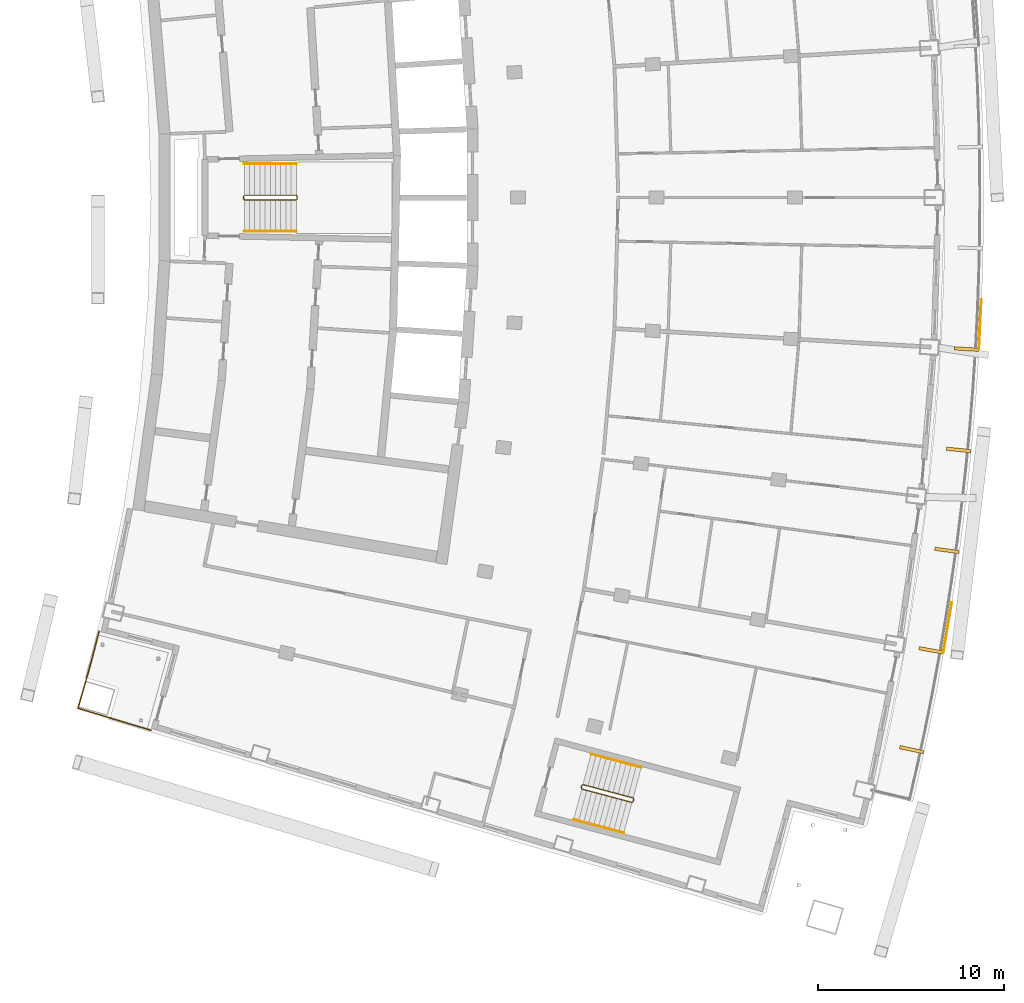
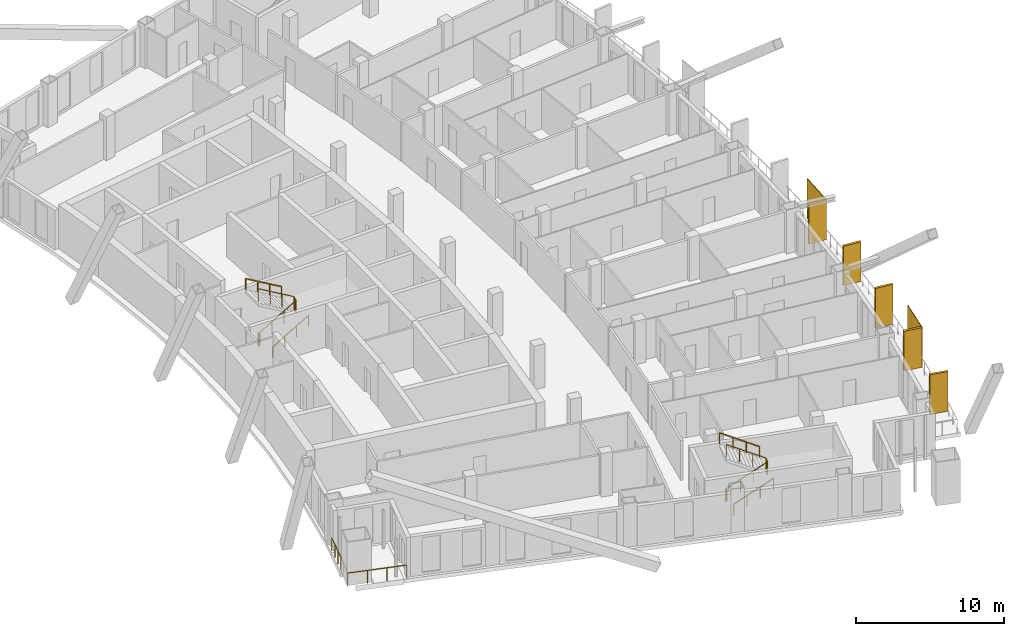
# One storey, part 17 of 19: 7 railings, 7 shading devices.
"""IFC4 building model written with IfcOpenShell, lengths in metres."""

import ifcopenshell
import ifcopenshell.guid

model = None  # the IFC model being written
_history = None  # IfcOwnerHistory: only IFC2X3 demands one
_inside = {}  # id of a spatial element -> (the spatial element, [elements in it])
_under = {}  # id of a project, library or spatial element -> (it, [spatial elements below it])
_declared = {}  # id of a project -> (the project, [libraries it declares])
_typed = {}  # id of a type object -> (the type object, [elements of that type])
_made_of = {}  # id of a material, layer set ... -> (it, [elements and type objects made of it])


def new_model(schema):
    """Start an empty IFC model of exactly this schema.

    Asked for "IFC4X3", IfcOpenShell would pick the latest addendum, in which some entities
    have other attributes; the version numbers below select the first issue.
    IFC2X3 requires an IfcOwnerHistory on every rooted entity: one is made here for all.
    """
    global model, _history
    if schema == "IFC4X3":
        model = ifcopenshell.file(schema_version=(4, 3, 0, 0))
    else:
        model = ifcopenshell.file(schema=schema)
    _inside.clear()
    _under.clear()
    _declared.clear()
    _typed.clear()
    _made_of.clear()
    _history = None
    if model.schema == "IFC2X3":
        org = make("IfcOrganization", Name="unknown")
        user = make(
            "IfcPersonAndOrganization",
            ThePerson=make("IfcPerson", FamilyName="unknown"),
            TheOrganization=org,
        )
        app = make(
            "IfcApplication",
            ApplicationDeveloper=org,
            Version="unknown",
            ApplicationFullName="unknown",
            ApplicationIdentifier="unknown",
        )
        _history = make(
            "IfcOwnerHistory",
            OwningUser=user,
            OwningApplication=app,
            ChangeAction="ADDED",
            CreationDate=0,
        )
    return model


def make(cls, **values):
    """One entity of the class cls with the attributes given. An attribute that is None is left unset."""
    return model.create_entity(
        cls, **{name: value for name, value in values.items() if value is not None}
    )


def rooted(cls, **values):
    """An entity with a GlobalId (a new one), such as an element, a storey or a relation."""
    return make(cls, GlobalId=ifcopenshell.guid.new(), OwnerHistory=_history, **values)


def si_unit(unit_type, name, prefix=None):
    """IfcSIUnit, for example si_unit("LENGTHUNIT", "METRE", prefix="MILLI")."""
    return make("IfcSIUnit", UnitType=unit_type, Prefix=prefix, Name=name)


def assignment(units):
    """IfcUnitAssignment: the units of a project."""
    return None if units is None else make("IfcUnitAssignment", Units=units)


def point(xyz):
    """IfcCartesianPoint."""
    return None if xyz is None else make("IfcCartesianPoint", Coordinates=xyz)


def direction(xyz):
    """IfcDirection."""
    return None if xyz is None else make("IfcDirection", DirectionRatios=xyz)


def frame(location, z_axis=None, x_axis=None):
    """IfcAxis2Placement3D, a coordinate frame: its origin and axes. An axis left out is left unset."""
    return make(
        "IfcAxis2Placement3D",
        Location=point(location),
        Axis=direction(z_axis),
        RefDirection=direction(x_axis),
    )


def frame_2d(location, x_axis=None):
    """IfcAxis2Placement2D, a coordinate frame in the plane: its origin and x axis."""
    return make(
        "IfcAxis2Placement2D", Location=point(location), RefDirection=direction(x_axis)
    )


def origin():
    """The frame at (0, 0, 0) with its axes left unset."""
    return frame((0.0, 0.0, 0.0))


def origin_with_axes():
    """The frame at (0, 0, 0) with the z axis (0, 0, 1) and the x axis (1, 0, 0) written out."""
    return frame((0.0, 0.0, 0.0), z_axis=(0.0, 0.0, 1.0), x_axis=(1.0, 0.0, 0.0))


def origin_2d():
    """The frame at (0, 0) in the plane with its x axis left unset."""
    return frame_2d((0.0, 0.0))


def place(relative_to, where):
    """IfcLocalPlacement: puts the frame where relative to a parent placement (None: the world)."""
    return make(
        "IfcLocalPlacement", PlacementRelTo=relative_to, RelativePlacement=where
    )


def context(
    kind, dimensions, precision=None, world=None, true_north=None, identifier=None
):
    """IfcGeometricRepresentationContext, for example the 3D "Model" context."""
    return make(
        "IfcGeometricRepresentationContext",
        ContextIdentifier=identifier,
        ContextType=kind,
        CoordinateSpaceDimension=dimensions,
        Precision=precision,
        WorldCoordinateSystem=world,
        TrueNorth=true_north,
    )


def subcontext(parent, identifier, kind, view, scale=None):
    """IfcGeometricRepresentationSubContext, for example "Body" below "Model"."""
    return make(
        "IfcGeometricRepresentationSubContext",
        ContextIdentifier=identifier,
        ContextType=kind,
        ParentContext=parent,
        TargetScale=scale,
        TargetView=view,
    )


def project(units=None, contexts=None):
    """IfcProject with its units and contexts."""
    return rooted(
        "IfcProject",
        Name="project",
        RepresentationContexts=contexts,
        UnitsInContext=assignment(units),
    )


def spatial(cls, under=None, at=None, **own):
    """A site, building, storey or space (cls), placed at a placement, below another one or the project."""
    s = rooted(cls, ObjectPlacement=at, **own)
    if under is not None:
        _under.setdefault(under.id(), (under, []))[1].append(s)
    return s


def profile(cls, at=None, kind="AREA", **sizes):
    """A parametric profile (cls). Its sizes go by their IFC names, for example OverallWidth=200.0."""
    return make(cls, ProfileType=kind, Position=at, **sizes)


def rectangle(**sizes):
    """IfcRectangleProfileDef."""
    return profile("IfcRectangleProfileDef", **sizes)


def extrude(swept, where, along, depth):
    """IfcExtrudedAreaSolid: the profile swept, set in the frame where, extruded along a direction by depth."""
    return make(
        "IfcExtrudedAreaSolid",
        SweptArea=swept,
        Position=where,
        ExtrudedDirection=direction(along),
        Depth=depth,
    )


def shape(context_of_items, identifier, shape_type, items):
    """IfcShapeRepresentation: the items that make up one representation, for example the "Body"."""
    return make(
        "IfcShapeRepresentation",
        ContextOfItems=context_of_items,
        RepresentationIdentifier=identifier,
        RepresentationType=shape_type,
        Items=items,
    )


def material(Name=None, Category=None):
    """IfcMaterial."""
    return make("IfcMaterial", Name=Name, Category=Category)


def layer(
    of_material, thickness, ventilated=None, Name=None, Category=None, Priority=None
):
    """IfcMaterialLayer: one layer of a wall or slab, of a material (None: an air gap)."""
    return make(
        "IfcMaterialLayer",
        Material=of_material,
        LayerThickness=thickness,
        IsVentilated=ventilated,
        Name=Name,
        Category=Category,
        Priority=Priority,
    )


def layer_set(layers, Name=None):
    """IfcMaterialLayerSet."""
    return make("IfcMaterialLayerSet", MaterialLayers=layers, LayerSetName=Name)


def made_of(thing, what):
    """Note that an element or type object is made of a material, layer set ...; save() writes the relation."""
    if what is not None:
        _made_of.setdefault(what.id(), (what, []))[1].append(thing)
    return thing


def type_object(cls, material=None, **own):
    """A type object (cls), such as IfcWallType, which elements share."""
    return made_of(rooted(cls, **own), material)


def element(
    cls,
    number,
    at=None,
    inside=None,
    cuts=None,
    type_object=None,
    material=None,
    context=None,
    identifier="Body",
    shape_type=None,
    held_by="IfcProductDefinitionShape",
    body=None,
    shapes=None,
    **own,
):
    """One element of the class cls, such as IfcWall. Its Tag is "e" and its number.

    at: its placement. inside: the storey or other place that contains it. cuts: it is an
    opening in that element (IfcRelVoidsElement). A single representation is given by context,
    identifier, shape_type and body (its items); several are given by shapes. held_by: the class
    of the entity that holds the representations. save() writes the other relations.
    """
    e = rooted(cls, Tag="e%d" % number, ObjectPlacement=at, **own)
    if body is not None:
        shapes = [shape(context, identifier, shape_type, body)]
    if shapes is not None:
        e.Representation = make(held_by, Representations=shapes)
    if inside is not None:
        _inside.setdefault(inside.id(), (inside, []))[1].append(e)
    if cuts is not None:
        rooted(
            "IfcRelVoidsElement", RelatingBuildingElement=cuts, RelatedOpeningElement=e
        )
    if type_object is not None:
        _typed.setdefault(type_object.id(), (type_object, []))[1].append(e)
    return made_of(e, material)


def aggregate(whole, parts):
    """IfcRelAggregates: a whole, such as a stair, and the parts it consists of."""
    return rooted("IfcRelAggregates", RelatingObject=whole, RelatedObjects=parts)


def save(model, path):
    """Write the relations noted so far, then the file.

    IfcRelAggregates (storeys below a building ...), IfcRelContainedInSpatialStructure (elements
    in a storey), IfcRelDefinesByType, IfcRelAssociatesMaterial and IfcRelDeclares: one each for
    every whole, place, type object, material and project.
    """
    for whole, parts in _under.values():
        aggregate(whole, parts)
    for where, things in _inside.values():
        rooted(
            "IfcRelContainedInSpatialStructure",
            RelatedElements=things,
            RelatingStructure=where,
        )
    for kind, things in _typed.values():
        rooted("IfcRelDefinesByType", RelatedObjects=things, RelatingType=kind)
    for what, things in _made_of.values():
        rooted("IfcRelAssociatesMaterial", RelatedObjects=things, RelatingMaterial=what)
    for by, libraries in _declared.values():
        rooted("IfcRelDeclares", RelatingContext=by, RelatedDefinitions=libraries)
    model.write(path)


model = new_model("IFC4")

# Units and contexts
model_context = context("Model", 3, precision=1e-05, world=origin(), true_north=direction((0.0, 1.0)))
body_context = subcontext(model_context, "Body", "Model", "MODEL_VIEW")
ifc_project = project(units=[si_unit("LENGTHUNIT", "METRE"), si_unit("AREAUNIT", "SQUARE_METRE"), si_unit("VOLUMEUNIT", "CUBIC_METRE"), si_unit("PLANEANGLEUNIT", "RADIAN"), si_unit("MASSUNIT", "GRAM", prefix="KILO")], contexts=[model_context])

# Site, building, storey
site_placement = place(None, origin())
site = spatial("IfcSite", under=ifc_project, at=site_placement, CompositionType="ELEMENT")
building_placement = place(site_placement, origin())
building = spatial("IfcBuilding", under=site, at=building_placement, Name="Alderwake Tower", CompositionType="ELEMENT")
storey_placement = place(building_placement, frame((0.0, 0.0, 200.0)))
storey = spatial("IfcBuildingStorey", under=building, at=storey_placement, Name="L49", CompositionType="ELEMENT", Elevation=200.0)

# Railing
ifc_material_1 = material(Name="Stainless steel 316 rail and posts", Category="steel")
railing_type_1 = type_object("IfcRailingType", Name="Balcony guard 1100", PredefinedType="GUARDRAIL", material=ifc_material_1)
railing_1_placement = place(storey_placement, frame((13.210693359375, 37.612548828125, 0.0)))
element("IfcRailing", 1, at=railing_1_placement, inside=storey, type_object=railing_type_1, Name="Guard terrace RS", PredefinedType="GUARDRAIL", context=body_context, shape_type="SweptSolid", body=[
    extrude(rectangle(XDim=0.048095703125, YDim=0.048095703125, at=origin_2d()), frame((0.0, 0.0, 1.076171875), z_axis=(-0.251385381433, -0.967887075026, 0.0), x_axis=(0.967887075026, -0.251385381433, 0.0)), (0.0, 0.0, 1.0), 1.6015625),
    extrude(rectangle(XDim=0.048095703125, YDim=0.048095703125, at=origin_2d()), frame((-0.402587890625, -1.550048828125, 1.076171875), z_axis=(-0.266520638672, -0.963829211615, 0.0), x_axis=(0.963829211615, -0.266520638672, 0.0)), (0.0, 0.0, 1.0), 1.401611328125),
    extrude(rectangle(XDim=0.048095703125, YDim=0.048095703125, at=origin_2d()), frame((-0.776123046875, -2.90087890625, 1.076171875), z_axis=(-0.280093650878, -0.959972680204, 0.0), x_axis=(0.959972680204, -0.280093650878, 0.0)), (0.0, 0.0, 1.0), 1.30126953125),
    extrude(rectangle(XDim=0.048095703125, YDim=0.048095703125, at=origin_2d()), frame((-1.140625, -4.150146484375, 1.076171875), z_axis=(0.958066871889, -0.286544706789, 0.0), x_axis=(0.286544706789, 0.958066871889, 0.0)), (0.0, 0.0, 1.0), 4.099853515625),
    extrude(rectangle(XDim=0.0419921875, YDim=0.0419921875, at=origin_2d()), frame((0.0, 0.0, 0.0), z_axis=(0.0, 0.0, 1.0), x_axis=(-0.251385381433, -0.967887075026, 0.0)), (0.0, 0.0, 1.0), 1.052001953125),
    extrude(rectangle(XDim=0.0419921875, YDim=0.0419921875, at=origin_2d()), frame((-0.201171875, -0.77490234375, 0.0), z_axis=(0.0, 0.0, 1.0), x_axis=(-0.251385381433, -0.967887075026, 0.0)), (0.0, 0.0, 1.0), 1.052001953125),
    extrude(rectangle(XDim=0.0419921875, YDim=0.0419921875, at=origin_2d()), frame((-0.402587890625, -1.550048828125, 0.0), z_axis=(0.0, 0.0, 1.0), x_axis=(-0.266520638672, -0.963829211615, 0.0)), (0.0, 0.0, 1.0), 1.052001953125),
    extrude(rectangle(XDim=0.0419921875, YDim=0.0419921875, at=origin_2d()), frame((-0.58935546875, -2.2255859375, 0.0), z_axis=(0.0, 0.0, 1.0), x_axis=(-0.266520638672, -0.963829211615, 0.0)), (0.0, 0.0, 1.0), 1.052001953125),
    extrude(rectangle(XDim=0.0419921875, YDim=0.0419921875, at=origin_2d()), frame((-0.776123046875, -2.90087890625, 0.0), z_axis=(0.0, 0.0, 1.0), x_axis=(-0.280093650878, -0.959972680204, 0.0)), (0.0, 0.0, 1.0), 1.052001953125),
    extrude(rectangle(XDim=0.0419921875, YDim=0.0419921875, at=origin_2d()), frame((-1.140625, -4.150146484375, 0.0), z_axis=(0.0, 0.0, 1.0), x_axis=(0.958066871889, -0.286544706789, 0.0)), (0.0, 0.0, 1.0), 1.052001953125),
    extrude(rectangle(XDim=0.0419921875, YDim=0.0419921875, at=origin_2d()), frame((0.168701171875, -4.541748046875, 0.0), z_axis=(0.0, 0.0, 1.0), x_axis=(0.958066871889, -0.286544706789, 0.0)), (0.0, 0.0, 1.0), 1.052001953125),
    extrude(rectangle(XDim=0.0419921875, YDim=0.0419921875, at=origin_2d()), frame((1.47802734375, -4.933349609375, 0.0), z_axis=(0.0, 0.0, 1.0), x_axis=(0.958066871889, -0.286544706789, 0.0)), (0.0, 0.0, 1.0), 1.052001953125),
    extrude(rectangle(XDim=0.0419921875, YDim=0.0419921875, at=origin_2d()), frame((2.787353515625, -5.324951171875, 0.0), z_axis=(0.0, 0.0, 1.0), x_axis=(0.958066871889, -0.286544706789, 0.0)), (0.0, 0.0, 1.0), 1.052001953125),
])

# Shading devices
ifc_material_2 = material(Name="Bronze anodised aluminium", Category="aluminium")
ifc_layer_1 = layer(ifc_material_2, 0.179931640625)
ifc_layer_set_1 = layer_set([ifc_layer_1], Name="Facade fin 1300")
shading_device_type_1 = type_object("IfcShadingDeviceType", Name="Facade fin 1300", PredefinedType="USERDEFINED", material=ifc_layer_set_1)
for number, where, z_axis, x_axis, name in (
    (2, (57.0048828125, 31.239501953125, 0.0), (0.0, 0.0, 1.0), (0.977210363881, -0.212273184185, 0.0), "Fin"),
    (3, (58.05859375, 36.590087890625, 0.0), (0.0, 0.0, 1.0), (0.984726421654, -0.174108800747, 0.0), "Fin"),
    (4, (58.903564453125, 41.9775390625, 0.0), (0.0, 0.0, 1.0), (0.990752577235, -0.135680988728, 0.0), "Fin"),
    (5, (59.5380859375, 47.39404296875, 0.0), (0.0, 0.0, 1.0), (0.995279882363, -0.097046152751, 0.0), "Fin"),
    (6, (59.9619140625, 52.8310546875, 0.0), (0.0, 0.0, 1.0), (0.998301080988, -0.058266214038, 0.0), "Fin"),
):
    element("IfcShadingDevice", number, at=place(storey_placement, frame(where, z_axis=z_axis, x_axis=x_axis)), inside=storey, type_object=shading_device_type_1, Name=name, ObjectType="FIN", PredefinedType="USERDEFINED", context=body_context, shape_type="SweptSolid", body=[
        extrude(rectangle(XDim=1.300048828125, YDim=0.179931640625, at=origin_2d()), origin(), (0.0, 0.0, 1.0), 3.280029296875),
    ])
ifc_material_3 = material(Name="Perforated bronze anodised aluminium", Category="aluminium")
ifc_layer_2 = layer(ifc_material_3, 0.050048828125)
ifc_layer_set_2 = layer_set([ifc_layer_2], Name="Perforated screen panel")
shading_device_type_2 = type_object("IfcShadingDeviceType", Name="Perforated screen panel", PredefinedType="USERDEFINED", material=ifc_layer_set_2)
for number, where, z_axis, x_axis, name in (
    (7, (58.9482421875, 37.8203125, 0.0), (0.0, 0.0, 1.0), (0.986369013299, -0.164548380739, 0.0), "Screen panel"),
    (8, (60.701904296875, 54.156494140625, 0.0), (0.0, 0.0, 1.0), (0.998819231138, -0.048581308217, 0.0), "Screen panel"),
):
    element("IfcShadingDevice", number, at=place(storey_placement, frame(where, z_axis=z_axis, x_axis=x_axis)), inside=storey, type_object=shading_device_type_2, Name=name, ObjectType="SCREEN", PredefinedType="USERDEFINED", context=body_context, shape_type="SweptSolid", body=[
        extrude(rectangle(XDim=0.050048828125, YDim=2.73291015625, at=origin_2d()), origin(), (0.0, 0.0, 1.0), 3.280029296875),
    ])

# Railings
ifc_material_4 = material(Name="Stainless steel guard", Category="steel")
railing_type_2 = type_object("IfcRailingType", Name="Stair guard 1100", PredefinedType="GUARDRAIL", material=ifc_material_4)
railing_2_placement = place(storey_placement, frame((20.989990234375, 60.925048828125, 0.0)))
element("IfcRailing", 9, at=railing_2_placement, inside=storey, type_object=railing_type_2, Name="L49 ST-B stair guard 1", PredefinedType="GUARDRAIL", context=body_context, shape_type="SweptSolid", body=[
    extrude(rectangle(XDim=0.048095703125, YDim=0.048095703125, at=origin_2d()), frame((0.0, 0.0, 1.076171875), z_axis=(0.0, 1.0, 0.0), x_axis=(-1.0, 0.0, 0.0)), (0.0, 0.0, 1.0), 0.14990234375),
    extrude(rectangle(XDim=0.048095703125, YDim=0.048095703125, at=origin_2d()), frame((0.0, 0.14990234375, 1.076171875), z_axis=(0.190199549216, -0.759870394187, 0.621627795), x_axis=(0.970072785993, 0.242814311512, 0.0)), (0.0, 0.0, 1.0), 0.26318359375),
    extrude(rectangle(XDim=0.048095703125, YDim=0.048095703125, at=origin_2d()), frame((0.050048828125, -0.050048828125, 1.23974609375), z_axis=(0.863360870873, 0.0, 0.504586966384), x_axis=(0.0, 1.0, 0.0)), (0.0, 0.0, 1.0), 3.2431640625),
    extrude(rectangle(XDim=0.048095703125, YDim=0.048095703125, at=origin_2d()), frame((2.85009765625, -0.050048828125, 2.8759765625), z_axis=(0.705375805398, 0.708833529934, 0.0), x_axis=(-0.708833529934, 0.705375805398, 0.0)), (0.0, 0.0, 1.0), 0.070556640625),
    extrude(rectangle(XDim=0.048095703125, YDim=0.048095703125, at=origin_2d()), frame((2.89990234375, 0.0, 2.8759765625), z_axis=(0.0, 1.0, 0.0), x_axis=(-1.0, 0.0, 0.0)), (0.0, 0.0, 1.0), 0.14990234375),
    extrude(rectangle(XDim=0.048095703125, YDim=0.048095703125, at=origin_2d()), frame((2.89990234375, 0.14990234375, 2.8759765625), z_axis=(-0.279546231943, 0.280916556609, 0.91811752648), x_axis=(-0.708833529934, -0.705375805398, 0.0)), (0.0, 0.0, 1.0), 0.17822265625),
    extrude(rectangle(XDim=0.048095703125, YDim=0.048095703125, at=origin_2d()), frame((2.85009765625, 0.199951171875, 3.03955078125), z_axis=(-0.863360870873, 0.0, 0.504586966384), x_axis=(0.0, -1.0, 0.0)), (0.0, 0.0, 1.0), 3.2431640625),
    extrude(rectangle(XDim=0.0419921875, YDim=0.0419921875, at=origin_2d()), frame((0.0, 0.0, 0.0), z_axis=(0.0, 0.0, 1.0), x_axis=(0.0, 1.0, 0.0)), (0.0, 0.0, 1.0), 1.052001953125),
    extrude(rectangle(XDim=0.0419921875, YDim=0.0419921875, at=origin_2d()), frame((0.0, 0.14990234375, 0.0), z_axis=(0.0, 0.0, 1.0), x_axis=(0.242814311512, -0.970072785993, 0.0)), (0.0, 0.0, 1.0), 1.052001953125),
    extrude(rectangle(XDim=0.0419921875, YDim=0.0419921875, at=origin_2d()), frame((0.050048828125, -0.050048828125, 0.16357421875), z_axis=(0.0, 0.0, 1.0), x_axis=(1.0, 0.0, 0.0)), (0.0, 0.0, 1.0), 1.052001953125),
    extrude(rectangle(XDim=0.0419921875, YDim=0.0419921875, at=origin_2d()), frame((0.9833984375, -0.050048828125, 0.708984375), z_axis=(0.0, 0.0, 1.0), x_axis=(1.0, 0.0, 0.0)), (0.0, 0.0, 1.0), 1.052001953125),
    extrude(rectangle(XDim=0.0419921875, YDim=0.0419921875, at=origin_2d()), frame((1.916748046875, -0.050048828125, 1.254638671875), z_axis=(0.0, 0.0, 1.0), x_axis=(1.0, 0.0, 0.0)), (0.0, 0.0, 1.0), 1.052001953125),
    extrude(rectangle(XDim=0.0419921875, YDim=0.0419921875, at=origin_2d()), frame((2.85009765625, -0.050048828125, 1.800048828125), z_axis=(0.0, 0.0, 1.0), x_axis=(0.705375805398, 0.708833529934, 0.0)), (0.0, 0.0, 1.0), 1.052001953125),
    extrude(rectangle(XDim=0.0419921875, YDim=0.0419921875, at=origin_2d()), frame((2.89990234375, 0.0, 1.800048828125), z_axis=(0.0, 0.0, 1.0), x_axis=(0.0, 1.0, 0.0)), (0.0, 0.0, 1.0), 1.052001953125),
    extrude(rectangle(XDim=0.0419921875, YDim=0.0419921875, at=origin_2d()), frame((2.89990234375, 0.14990234375, 1.800048828125), z_axis=(0.0, 0.0, 1.0), x_axis=(-0.705375805398, 0.708833529934, 0.0)), (0.0, 0.0, 1.0), 1.052001953125),
    extrude(rectangle(XDim=0.0419921875, YDim=0.0419921875, at=origin_2d()), frame((2.85009765625, 0.199951171875, 1.963623046875), z_axis=(0.0, 0.0, 1.0), x_axis=(-1.0, 0.0, 0.0)), (0.0, 0.0, 1.0), 1.052001953125),
    extrude(rectangle(XDim=0.0419921875, YDim=0.0419921875, at=origin_2d()), frame((1.916748046875, 0.199951171875, 2.509033203125), z_axis=(0.0, 0.0, 1.0), x_axis=(-1.0, 0.0, 0.0)), (0.0, 0.0, 1.0), 1.052001953125),
    extrude(rectangle(XDim=0.0419921875, YDim=0.0419921875, at=origin_2d()), frame((0.9833984375, 0.199951171875, 3.0546875), z_axis=(0.0, 0.0, 1.0), x_axis=(-1.0, 0.0, 0.0)), (0.0, 0.0, 1.0), 1.052001953125),
    extrude(rectangle(XDim=0.0419921875, YDim=0.0419921875, at=origin_2d()), frame((0.050048828125, 0.199951171875, 3.60009765625), z_axis=(0.0, 0.0, 1.0), x_axis=(-1.0, 0.0, 0.0)), (0.0, 0.0, 1.0), 1.052001953125),
])
railing_3_placement = place(storey_placement, frame((39.1943359375, 29.17431640625, 0.0)))
element("IfcRailing", 10, at=railing_3_placement, inside=storey, type_object=railing_type_2, Name="L49 ST-C stair guard 1", PredefinedType="GUARDRAIL", context=body_context, shape_type="SweptSolid", body=[
    extrude(rectangle(XDim=0.048095703125, YDim=0.048095703125, at=origin_2d()), frame((0.0, 0.0, 1.076171875), z_axis=(0.257459803502, 0.966289009345, 0.0), x_axis=(-0.966289009345, 0.257459803502, 0.0)), (0.0, 0.0, 1.0), 0.14990234375),
    extrude(rectangle(XDim=0.048095703125, YDim=0.048095703125, at=origin_2d()), frame((0.03857421875, 0.144775390625, 1.076171875), z_axis=(-0.012062893862, -0.783160186125, 0.621702991355), x_axis=(0.999881397308, -0.015401016783, 0.0)), (0.0, 0.0, 1.0), 0.26318359375),
    extrude(rectangle(XDim=0.048095703125, YDim=0.048095703125, at=origin_2d()), frame((0.035400390625, -0.061279296875, 1.23974609375), z_axis=(0.834281824786, -0.222214197128, 0.504573768072), x_axis=(0.257380452725, 0.966310148221, 0.0)), (0.0, 0.0, 1.0), 3.2431640625),
    extrude(rectangle(XDim=0.048095703125, YDim=0.048095703125, at=origin_2d()), frame((2.7412109375, -0.781982421875, 2.8759765625), z_axis=(0.865031189262, 0.501718089772, 0.0), x_axis=(-0.501718089772, 0.865031189262, 0.0)), (0.0, 0.0, 1.0), 0.070556640625),
    extrude(rectangle(XDim=0.048095703125, YDim=0.048095703125, at=origin_2d()), frame((2.80224609375, -0.74658203125, 2.8759765625), z_axis=(0.257055032184, 0.966396766566, 0.0), x_axis=(-0.966396766566, 0.257055032184, 0.0)), (0.0, 0.0, 1.0), 0.150146484375),
    extrude(rectangle(XDim=0.048095703125, YDim=0.048095703125, at=origin_2d()), frame((2.8408203125, -0.6015625, 2.8759765625), z_axis=(-0.198625291617, 0.343827228937, 0.91778583023), x_axis=(-0.865898279276, -0.500220121494, 0.0)), (0.0, 0.0, 1.0), 0.17822265625),
    extrude(rectangle(XDim=0.048095703125, YDim=0.048095703125, at=origin_2d()), frame((2.805419921875, -0.540283203125, 3.03955078125), z_axis=(-0.834258940753, 0.22222815314, 0.504605457487), x_axis=(-0.257402139082, -0.966304371715, 0.0)), (0.0, 0.0, 1.0), 3.2431640625),
    extrude(rectangle(XDim=0.0419921875, YDim=0.0419921875, at=origin_2d()), frame((0.0, 0.0, 0.0), z_axis=(0.0, 0.0, 1.0), x_axis=(0.257459803502, 0.966289009345, 0.0)), (0.0, 0.0, 1.0), 1.052001953125),
    extrude(rectangle(XDim=0.0419921875, YDim=0.0419921875, at=origin_2d()), frame((0.03857421875, 0.144775390625, 0.0), z_axis=(0.0, 0.0, 1.0), x_axis=(-0.015401016783, -0.999881397308, 0.0)), (0.0, 0.0, 1.0), 1.052001953125),
    extrude(rectangle(XDim=0.0419921875, YDim=0.0419921875, at=origin_2d()), frame((0.035400390625, -0.061279296875, 0.16357421875), z_axis=(0.0, 0.0, 1.0), x_axis=(0.966310148221, -0.257380452725, 0.0)), (0.0, 0.0, 1.0), 1.052001953125),
    extrude(rectangle(XDim=0.0419921875, YDim=0.0419921875, at=origin_2d()), frame((0.937255859375, -0.301513671875, 0.708984375), z_axis=(0.0, 0.0, 1.0), x_axis=(0.966310148221, -0.257380452725, 0.0)), (0.0, 0.0, 1.0), 1.052001953125),
    extrude(rectangle(XDim=0.0419921875, YDim=0.0419921875, at=origin_2d()), frame((1.83935546875, -0.541748046875, 1.254638671875), z_axis=(0.0, 0.0, 1.0), x_axis=(0.966310148221, -0.257380452725, 0.0)), (0.0, 0.0, 1.0), 1.052001953125),
    extrude(rectangle(XDim=0.0419921875, YDim=0.0419921875, at=origin_2d()), frame((2.7412109375, -0.781982421875, 1.800048828125), z_axis=(0.0, 0.0, 1.0), x_axis=(0.865031189262, 0.501718089772, 0.0)), (0.0, 0.0, 1.0), 1.052001953125),
    extrude(rectangle(XDim=0.0419921875, YDim=0.0419921875, at=origin_2d()), frame((2.80224609375, -0.74658203125, 1.800048828125), z_axis=(0.0, 0.0, 1.0), x_axis=(0.257055032184, 0.966396766566, 0.0)), (0.0, 0.0, 1.0), 1.052001953125),
    extrude(rectangle(XDim=0.0419921875, YDim=0.0419921875, at=origin_2d()), frame((2.8408203125, -0.6015625, 1.800048828125), z_axis=(0.0, 0.0, 1.0), x_axis=(-0.500220121494, 0.865898279276, 0.0)), (0.0, 0.0, 1.0), 1.052001953125),
    extrude(rectangle(XDim=0.0419921875, YDim=0.0419921875, at=origin_2d()), frame((2.805419921875, -0.540283203125, 1.963623046875), z_axis=(0.0, 0.0, 1.0), x_axis=(-0.966304371715, 0.257402139082, 0.0)), (0.0, 0.0, 1.0), 1.052001953125),
    extrude(rectangle(XDim=0.0419921875, YDim=0.0419921875, at=origin_2d()), frame((1.903564453125, -0.300048828125, 2.509033203125), z_axis=(0.0, 0.0, 1.0), x_axis=(-0.966304371715, 0.257402139082, 0.0)), (0.0, 0.0, 1.0), 1.052001953125),
    extrude(rectangle(XDim=0.0419921875, YDim=0.0419921875, at=origin_2d()), frame((1.001708984375, -0.059814453125, 3.0546875), z_axis=(0.0, 0.0, 1.0), x_axis=(-0.966304371715, 0.257402139082, 0.0)), (0.0, 0.0, 1.0), 1.052001953125),
    extrude(rectangle(XDim=0.0419921875, YDim=0.0419921875, at=origin_2d()), frame((0.099853515625, 0.180419921875, 3.60009765625), z_axis=(0.0, 0.0, 1.0), x_axis=(-0.966304371715, 0.257402139082, 0.0)), (0.0, 0.0, 1.0), 1.052001953125),
])
ifc_material_5 = material(Name="Stainless steel handrail", Category="steel")
railing_type_3 = type_object("IfcRailingType", Name="Stair handrail 900", PredefinedType="HANDRAIL", material=ifc_material_5)
railing_4_placement = place(storey_placement, frame((21.0400390625, 59.175048828125, 0.16357421875)))
element("IfcRailing", 11, at=railing_4_placement, inside=storey, type_object=railing_type_3, Name="L49 ST-B stair handrail 1", PredefinedType="HANDRAIL", context=body_context, shape_type="SweptSolid", body=[
    extrude(rectangle(XDim=0.048095703125, YDim=0.048095703125, at=origin_2d()), frame((0.0, 0.0, 0.8759765625), z_axis=(0.863360870873, 0.0, 0.504586966384), x_axis=(0.0, 1.0, 0.0)), (0.0, 0.0, 1.0), 3.2431640625),
    extrude(rectangle(XDim=0.0419921875, YDim=0.0419921875, at=origin_2d()), origin_with_axes(), (0.0, 0.0, 1.0), 0.851806640625),
    extrude(rectangle(XDim=0.0419921875, YDim=0.0419921875, at=origin_2d()), frame((0.933349609375, 0.0, 0.54541015625), z_axis=(0.0, 0.0, 1.0), x_axis=(1.0, 0.0, 0.0)), (0.0, 0.0, 1.0), 0.851806640625),
    extrude(rectangle(XDim=0.0419921875, YDim=0.0419921875, at=origin_2d()), frame((1.86669921875, 0.0, 1.091064453125), z_axis=(0.0, 0.0, 1.0), x_axis=(1.0, 0.0, 0.0)), (0.0, 0.0, 1.0), 0.851806640625),
    extrude(rectangle(XDim=0.0419921875, YDim=0.0419921875, at=origin_2d()), frame((2.800048828125, 0.0, 1.636474609375), z_axis=(0.0, 0.0, 1.0), x_axis=(1.0, 0.0, 0.0)), (0.0, 0.0, 1.0), 0.851806640625),
])
railing_5_placement = place(storey_placement, frame((23.840087890625, 62.824951171875, 1.963623046875)))
element("IfcRailing", 12, at=railing_5_placement, inside=storey, type_object=railing_type_3, Name="L49 ST-B stair handrail 2", PredefinedType="HANDRAIL", context=body_context, shape_type="SweptSolid", body=[
    extrude(rectangle(XDim=0.048095703125, YDim=0.048095703125, at=origin_2d()), frame((0.0, 0.0, 0.8759765625), z_axis=(-0.863360870873, 0.0, 0.504586966384), x_axis=(0.0, -1.0, 0.0)), (0.0, 0.0, 1.0), 3.2431640625),
    extrude(rectangle(XDim=0.0419921875, YDim=0.0419921875, at=origin_2d()), frame((0.0, 0.0, 0.0), z_axis=(0.0, 0.0, 1.0), x_axis=(-1.0, 0.0, 0.0)), (0.0, 0.0, 1.0), 0.851806640625),
    extrude(rectangle(XDim=0.0419921875, YDim=0.0419921875, at=origin_2d()), frame((-0.933349609375, 0.0, 0.54541015625), z_axis=(0.0, 0.0, 1.0), x_axis=(-1.0, 0.0, 0.0)), (0.0, 0.0, 1.0), 0.851806640625),
    extrude(rectangle(XDim=0.0419921875, YDim=0.0419921875, at=origin_2d()), frame((-1.86669921875, 0.0, 1.091064453125), z_axis=(0.0, 0.0, 1.0), x_axis=(-1.0, 0.0, 0.0)), (0.0, 0.0, 1.0), 0.851806640625),
    extrude(rectangle(XDim=0.0419921875, YDim=0.0419921875, at=origin_2d()), frame((-2.800048828125, 0.0, 1.636474609375), z_axis=(0.0, 0.0, 1.0), x_axis=(-1.0, 0.0, 0.0)), (0.0, 0.0, 1.0), 0.851806640625),
])
railing_6_placement = place(storey_placement, frame((38.792236328125, 27.47021484375, 0.16357421875)))
element("IfcRailing", 13, at=railing_6_placement, inside=storey, type_object=railing_type_3, Name="L49 ST-C stair handrail 1", PredefinedType="HANDRAIL", context=body_context, shape_type="SweptSolid", body=[
    extrude(rectangle(XDim=0.048095703125, YDim=0.048095703125, at=origin_2d()), frame((0.0, 0.0, 0.8759765625), z_axis=(0.834272895437, -0.222156588561, 0.504613898043), x_axis=(0.25732071773, 0.966326056891, 0.0)), (0.0, 0.0, 1.0), 3.242919921875),
    extrude(rectangle(XDim=0.0419921875, YDim=0.0419921875, at=origin_2d()), frame((0.0, 0.0, 0.0), z_axis=(0.0, 0.0, 1.0), x_axis=(0.966326056891, -0.25732071773, 0.0)), (0.0, 0.0, 1.0), 0.851806640625),
    extrude(rectangle(XDim=0.0419921875, YDim=0.0419921875, at=origin_2d()), frame((0.90185546875, -0.240234375, 0.54541015625), z_axis=(0.0, 0.0, 1.0), x_axis=(0.966326056891, -0.25732071773, 0.0)), (0.0, 0.0, 1.0), 0.851806640625),
    extrude(rectangle(XDim=0.0419921875, YDim=0.0419921875, at=origin_2d()), frame((1.8037109375, -0.480224609375, 1.091064453125), z_axis=(0.0, 0.0, 1.0), x_axis=(0.966326056891, -0.25732071773, 0.0)), (0.0, 0.0, 1.0), 0.851806640625),
    extrude(rectangle(XDim=0.0419921875, YDim=0.0419921875, at=origin_2d()), frame((2.70556640625, -0.720458984375, 1.636474609375), z_axis=(0.0, 0.0, 1.0), x_axis=(0.966326056891, -0.25732071773, 0.0)), (0.0, 0.0, 1.0), 0.851806640625),
])
railing_7_placement = place(storey_placement, frame((42.437255859375, 30.276611328125, 1.963623046875)))
element("IfcRailing", 14, at=railing_7_placement, inside=storey, type_object=railing_type_3, Name="L49 ST-C stair handrail 2", PredefinedType="HANDRAIL", context=body_context, shape_type="SweptSolid", body=[
    extrude(rectangle(XDim=0.048095703125, YDim=0.048095703125, at=origin_2d()), frame((0.0, 0.0, 0.8759765625), z_axis=(-0.834258940753, 0.22222815314, 0.504605457487), x_axis=(-0.257402139082, -0.966304371715, 0.0)), (0.0, 0.0, 1.0), 3.2431640625),
    extrude(rectangle(XDim=0.0419921875, YDim=0.0419921875, at=origin_2d()), frame((0.0, 0.0, 0.0), z_axis=(0.0, 0.0, 1.0), x_axis=(-0.966304371715, 0.257402139082, 0.0)), (0.0, 0.0, 1.0), 0.851806640625),
    extrude(rectangle(XDim=0.0419921875, YDim=0.0419921875, at=origin_2d()), frame((-0.90185546875, 0.240234375, 0.54541015625), z_axis=(0.0, 0.0, 1.0), x_axis=(-0.966304371715, 0.257402139082, 0.0)), (0.0, 0.0, 1.0), 0.851806640625),
    extrude(rectangle(XDim=0.0419921875, YDim=0.0419921875, at=origin_2d()), frame((-1.8037109375, 0.48046875, 1.091064453125), z_axis=(0.0, 0.0, 1.0), x_axis=(-0.966304371715, 0.257402139082, 0.0)), (0.0, 0.0, 1.0), 0.851806640625),
    extrude(rectangle(XDim=0.0419921875, YDim=0.0419921875, at=origin_2d()), frame((-2.70556640625, 0.720703125, 1.636474609375), z_axis=(0.0, 0.0, 1.0), x_axis=(-0.966304371715, 0.257402139082, 0.0)), (0.0, 0.0, 1.0), 0.851806640625),
])

save(model, "model.ifc")
